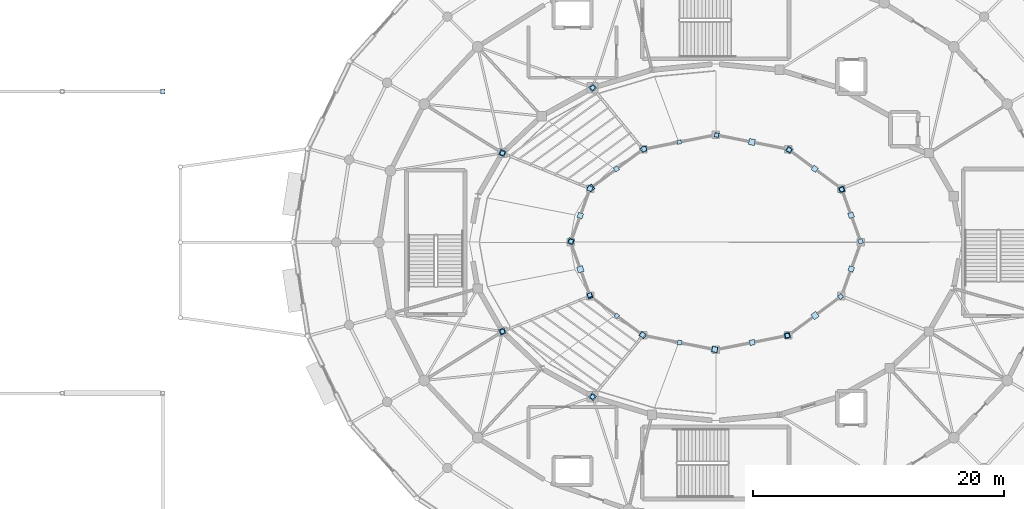
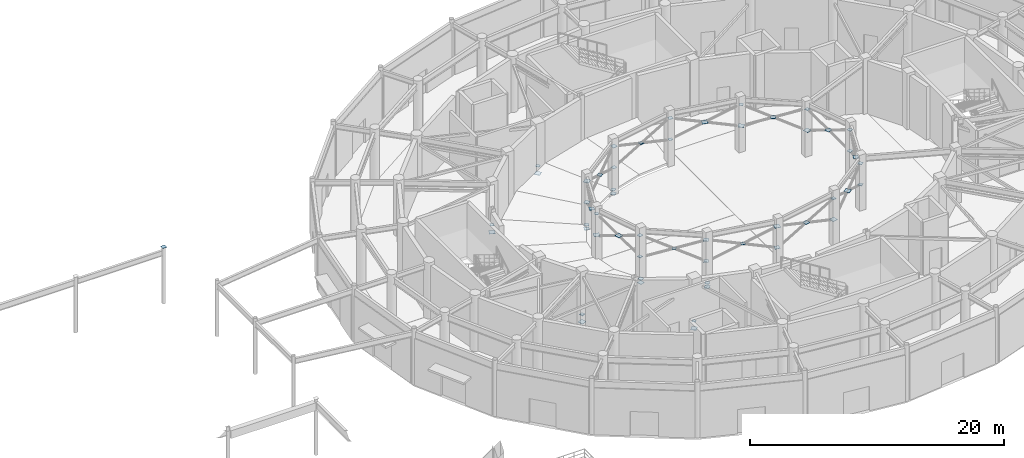
# One storey, part 47 of 93: 53 plates.
"""IFC4 building model written with IfcOpenShell, lengths in metres."""

import ifcopenshell
import ifcopenshell.guid

model = None  # the IFC model being written
_history = None  # IfcOwnerHistory: only IFC2X3 demands one
_inside = {}  # id of a spatial element -> (the spatial element, [elements in it])
_under = {}  # id of a project, library or spatial element -> (it, [spatial elements below it])
_declared = {}  # id of a project -> (the project, [libraries it declares])
_typed = {}  # id of a type object -> (the type object, [elements of that type])
_made_of = {}  # id of a material, layer set ... -> (it, [elements and type objects made of it])


def new_model(schema):
    """Start an empty IFC model of exactly this schema.

    Asked for "IFC4X3", IfcOpenShell would pick the latest addendum, in which some entities
    have other attributes; the version numbers below select the first issue.
    IFC2X3 requires an IfcOwnerHistory on every rooted entity: one is made here for all.
    """
    global model, _history
    if schema == "IFC4X3":
        model = ifcopenshell.file(schema_version=(4, 3, 0, 0))
    else:
        model = ifcopenshell.file(schema=schema)
    _inside.clear()
    _under.clear()
    _declared.clear()
    _typed.clear()
    _made_of.clear()
    _history = None
    if model.schema == "IFC2X3":
        org = make("IfcOrganization", Name="unknown")
        user = make(
            "IfcPersonAndOrganization",
            ThePerson=make("IfcPerson", FamilyName="unknown"),
            TheOrganization=org,
        )
        app = make(
            "IfcApplication",
            ApplicationDeveloper=org,
            Version="unknown",
            ApplicationFullName="unknown",
            ApplicationIdentifier="unknown",
        )
        _history = make(
            "IfcOwnerHistory",
            OwningUser=user,
            OwningApplication=app,
            ChangeAction="ADDED",
            CreationDate=0,
        )
    return model


def make(cls, **values):
    """One entity of the class cls with the attributes given. An attribute that is None is left unset."""
    return model.create_entity(
        cls, **{name: value for name, value in values.items() if value is not None}
    )


def rooted(cls, **values):
    """An entity with a GlobalId (a new one), such as an element, a storey or a relation."""
    return make(cls, GlobalId=ifcopenshell.guid.new(), OwnerHistory=_history, **values)


def si_unit(unit_type, name, prefix=None):
    """IfcSIUnit, for example si_unit("LENGTHUNIT", "METRE", prefix="MILLI")."""
    return make("IfcSIUnit", UnitType=unit_type, Prefix=prefix, Name=name)


def assignment(units):
    """IfcUnitAssignment: the units of a project."""
    return None if units is None else make("IfcUnitAssignment", Units=units)


def point(xyz):
    """IfcCartesianPoint."""
    return None if xyz is None else make("IfcCartesianPoint", Coordinates=xyz)


def direction(xyz):
    """IfcDirection."""
    return None if xyz is None else make("IfcDirection", DirectionRatios=xyz)


def frame(location, z_axis=None, x_axis=None):
    """IfcAxis2Placement3D, a coordinate frame: its origin and axes. An axis left out is left unset."""
    return make(
        "IfcAxis2Placement3D",
        Location=point(location),
        Axis=direction(z_axis),
        RefDirection=direction(x_axis),
    )


def frame_2d(location, x_axis=None):
    """IfcAxis2Placement2D, a coordinate frame in the plane: its origin and x axis."""
    return make(
        "IfcAxis2Placement2D", Location=point(location), RefDirection=direction(x_axis)
    )


def origin():
    """The frame at (0, 0, 0) with its axes left unset."""
    return frame((0.0, 0.0, 0.0))


def origin_2d():
    """The frame at (0, 0) in the plane with its x axis left unset."""
    return frame_2d((0.0, 0.0))


def place(relative_to, where):
    """IfcLocalPlacement: puts the frame where relative to a parent placement (None: the world)."""
    return make(
        "IfcLocalPlacement", PlacementRelTo=relative_to, RelativePlacement=where
    )


def context(
    kind, dimensions, precision=None, world=None, true_north=None, identifier=None
):
    """IfcGeometricRepresentationContext, for example the 3D "Model" context."""
    return make(
        "IfcGeometricRepresentationContext",
        ContextIdentifier=identifier,
        ContextType=kind,
        CoordinateSpaceDimension=dimensions,
        Precision=precision,
        WorldCoordinateSystem=world,
        TrueNorth=true_north,
    )


def subcontext(parent, identifier, kind, view, scale=None):
    """IfcGeometricRepresentationSubContext, for example "Body" below "Model"."""
    return make(
        "IfcGeometricRepresentationSubContext",
        ContextIdentifier=identifier,
        ContextType=kind,
        ParentContext=parent,
        TargetScale=scale,
        TargetView=view,
    )


def project(units=None, contexts=None):
    """IfcProject with its units and contexts."""
    return rooted(
        "IfcProject",
        Name="project",
        RepresentationContexts=contexts,
        UnitsInContext=assignment(units),
    )


def spatial(cls, under=None, at=None, **own):
    """A site, building, storey or space (cls), placed at a placement, below another one or the project."""
    s = rooted(cls, ObjectPlacement=at, **own)
    if under is not None:
        _under.setdefault(under.id(), (under, []))[1].append(s)
    return s


def profile(cls, at=None, kind="AREA", **sizes):
    """A parametric profile (cls). Its sizes go by their IFC names, for example OverallWidth=200.0."""
    return make(cls, ProfileType=kind, Position=at, **sizes)


def rectangle(**sizes):
    """IfcRectangleProfileDef."""
    return profile("IfcRectangleProfileDef", **sizes)


def extrude(swept, where, along, depth):
    """IfcExtrudedAreaSolid: the profile swept, set in the frame where, extruded along a direction by depth."""
    return make(
        "IfcExtrudedAreaSolid",
        SweptArea=swept,
        Position=where,
        ExtrudedDirection=direction(along),
        Depth=depth,
    )


def shape(context_of_items, identifier, shape_type, items):
    """IfcShapeRepresentation: the items that make up one representation, for example the "Body"."""
    return make(
        "IfcShapeRepresentation",
        ContextOfItems=context_of_items,
        RepresentationIdentifier=identifier,
        RepresentationType=shape_type,
        Items=items,
    )


def material(Name=None, Category=None):
    """IfcMaterial."""
    return make("IfcMaterial", Name=Name, Category=Category)


def layer(
    of_material, thickness, ventilated=None, Name=None, Category=None, Priority=None
):
    """IfcMaterialLayer: one layer of a wall or slab, of a material (None: an air gap)."""
    return make(
        "IfcMaterialLayer",
        Material=of_material,
        LayerThickness=thickness,
        IsVentilated=ventilated,
        Name=Name,
        Category=Category,
        Priority=Priority,
    )


def layer_set(layers, Name=None):
    """IfcMaterialLayerSet."""
    return make("IfcMaterialLayerSet", MaterialLayers=layers, LayerSetName=Name)


def made_of(thing, what):
    """Note that an element or type object is made of a material, layer set ...; save() writes the relation."""
    if what is not None:
        _made_of.setdefault(what.id(), (what, []))[1].append(thing)
    return thing


def type_object(cls, material=None, **own):
    """A type object (cls), such as IfcWallType, which elements share."""
    return made_of(rooted(cls, **own), material)


def element(
    cls,
    number,
    at=None,
    inside=None,
    cuts=None,
    type_object=None,
    material=None,
    context=None,
    identifier="Body",
    shape_type=None,
    held_by="IfcProductDefinitionShape",
    body=None,
    shapes=None,
    **own,
):
    """One element of the class cls, such as IfcWall. Its Tag is "e" and its number.

    at: its placement. inside: the storey or other place that contains it. cuts: it is an
    opening in that element (IfcRelVoidsElement). A single representation is given by context,
    identifier, shape_type and body (its items); several are given by shapes. held_by: the class
    of the entity that holds the representations. save() writes the other relations.
    """
    e = rooted(cls, Tag="e%d" % number, ObjectPlacement=at, **own)
    if body is not None:
        shapes = [shape(context, identifier, shape_type, body)]
    if shapes is not None:
        e.Representation = make(held_by, Representations=shapes)
    if inside is not None:
        _inside.setdefault(inside.id(), (inside, []))[1].append(e)
    if cuts is not None:
        rooted(
            "IfcRelVoidsElement", RelatingBuildingElement=cuts, RelatedOpeningElement=e
        )
    if type_object is not None:
        _typed.setdefault(type_object.id(), (type_object, []))[1].append(e)
    return made_of(e, material)


def aggregate(whole, parts):
    """IfcRelAggregates: a whole, such as a stair, and the parts it consists of."""
    return rooted("IfcRelAggregates", RelatingObject=whole, RelatedObjects=parts)


def save(model, path):
    """Write the relations noted so far, then the file.

    IfcRelAggregates (storeys below a building ...), IfcRelContainedInSpatialStructure (elements
    in a storey), IfcRelDefinesByType, IfcRelAssociatesMaterial and IfcRelDeclares: one each for
    every whole, place, type object, material and project.
    """
    for whole, parts in _under.values():
        aggregate(whole, parts)
    for where, things in _inside.values():
        rooted(
            "IfcRelContainedInSpatialStructure",
            RelatedElements=things,
            RelatingStructure=where,
        )
    for kind, things in _typed.values():
        rooted("IfcRelDefinesByType", RelatedObjects=things, RelatingType=kind)
    for what, things in _made_of.values():
        rooted("IfcRelAssociatesMaterial", RelatedObjects=things, RelatingMaterial=what)
    for by, libraries in _declared.values():
        rooted("IfcRelDeclares", RelatingContext=by, RelatedDefinitions=libraries)
    model.write(path)


model = new_model("IFC4")

# Units and contexts
model_context = context("Model", 3, precision=1e-05, world=origin(), true_north=direction((0.0, 1.0)))
body_context = subcontext(model_context, "Body", "Model", "MODEL_VIEW")
ifc_project = project(units=[si_unit("LENGTHUNIT", "METRE"), si_unit("AREAUNIT", "SQUARE_METRE"), si_unit("VOLUMEUNIT", "CUBIC_METRE"), si_unit("PLANEANGLEUNIT", "RADIAN"), si_unit("MASSUNIT", "GRAM", prefix="KILO")], contexts=[model_context])

# Site, building, storey
site_placement = place(None, origin())
site = spatial("IfcSite", under=ifc_project, at=site_placement, CompositionType="ELEMENT")
building_placement = place(site_placement, origin())
building = spatial("IfcBuilding", under=site, at=building_placement, Name="Cinderbank Siding Concert Hall", CompositionType="ELEMENT")
storey_placement = place(building_placement, origin())
storey = spatial("IfcBuildingStorey", under=building, at=storey_placement, Name="L01", CompositionType="ELEMENT", Elevation=0.0)

# Plates
ifc_material = material(Name="Structural steel welded plate section AS/NZS 3679.2 / AS/NZS 3678 Grade 350 (340 MPa)", Category="steel")
ifc_layer_1 = layer(ifc_material, 0.02490234375)
ifc_layer_set_1 = layer_set([ifc_layer_1], Name="Structural steel welded plate section AS/NZS 3679.2 / AS/NZS 3678 Grade 350 (340 MPa)")
plate_type_1 = type_object("IfcPlateType", Name="GP-01 Steel Gusset Cap Plate 480x480x25", PredefinedType="SHEET", material=ifc_layer_set_1)
for number, where, z_axis, x_axis, name in (
    (1, (112.199951171875, 56.297607421875, 0.28759765625), (0.0, 0.0, 1.0), (0.635269828282, -0.77229025973, 0.0), "L01 Steel Node Gusset Plate GP-01 #996"),
    (2, (105.02587890625, 51.10009765625, 0.28759765625), (0.0, 0.0, 1.0), (0.926791059146, -0.375577332499, 0.0), "L01 Steel Node Gusset Plate GP-01 #1000"),
    (3, (105.02587890625, 36.89990234375, 0.28759765625), (0.0, 0.0, 1.0), (0.926791059146, 0.375577332499, 0.0), "L01 Steel Node Gusset Plate GP-01 #1004"),
    (4, (112.199951171875, 31.702392578125, 0.28759765625), (0.0, 0.0, 1.0), (0.635269828282, 0.77229025973, 0.0), "L01 Steel Node Gusset Plate GP-01 #1008"),
    (5, (132.02978515625, 48.19970703125, 2.387451171875), (0.0, 0.0, 1.0), (0.340379550213, -0.94028812701, 0.0), "L01 Steel Node Gusset Plate GP-01 #1080"),
    (6, (127.83935546875, 51.35693359375, 2.387451171875), (0.0, 0.0, 1.0), (0.803753032213, -0.59496307718, 0.0), "L01 Steel Node Gusset Plate GP-01 #1084"),
    (7, (124.87353515625, 51.97998046875, 3.402587890625), (0.0, 0.0, 1.0), (0.980887295008, -0.194576757325, 0.0), "L01 Steel Node Gusset Plate GP-01 #1088"),
    (8, (112.061767578125, 48.322509765625, 4.427490234375), (0.0, 0.0, 1.0), (-0.803753032213, -0.59496307718, 0.0), "L01 Steel Node Gusset Plate GP-01 #1092"),
    (9, (110.477294921875, 44.0751953125, 2.387451171875), (0.0, 0.0, 1.0), (0.340379550213, 0.94028812701, 0.0), "L01 Steel Node Gusset Plate GP-01 #1096"),
    (10, (111.228271484375, 41.849609375, 3.4013671875), (0.0, 0.0, 1.0), (-0.340379550213, 0.94028812701, 0.0), "L01 Steel Node Gusset Plate GP-01 #1100"),
    (11, (121.92138671875, 35.465576171875, 4.427490234375), (0.0, 0.0, 1.0), (0.980887295008, -0.194576757325, 0.0), "L01 Steel Node Gusset Plate GP-01 #1104"),
    (12, (127.696533203125, 36.579833984375, 2.387451171875), (0.0, 0.0, 1.0), (-0.980887295008, -0.194576757325, 0.0), "L01 Steel Node Gusset Plate GP-01 #1108"),
    (13, (129.89990234375, 38.16845703125, 3.40185546875), (0.0, 0.0, 1.0), (-0.803753032213, -0.59496307718, 0.0), "L01 Steel Node Gusset Plate GP-01 #1112"),
):
    element("IfcPlate", number, at=place(storey_placement, frame(where, z_axis=z_axis, x_axis=x_axis)), inside=storey, type_object=plate_type_1, Name=name, PredefinedType="SHEET", context=body_context, shape_type="SweptSolid", body=[
        extrude(rectangle(XDim=0.47998046875, YDim=0.47998046875, at=origin_2d()), origin(), (0.0, 0.0, 1.0), 0.02490234375),
    ])
ifc_layer_2 = layer(ifc_material, 0.02197265625)
ifc_layer_set_2 = layer_set([ifc_layer_2], Name="Structural steel welded plate section AS/NZS 3679.2 / AS/NZS 3678 Grade 350 (340 MPa)")
plate_type_2 = type_object("IfcPlateType", Name="GP-02 Steel Gusset Cap Plate 420x420x22", PredefinedType="SHEET", material=ifc_layer_set_2)
for number, where, z_axis, x_axis, name in (
    (14, (116.22509765625, 51.404541015625, -0.091064453125), (0.0, 0.0, 1.0), (0.635269828282, -0.77229025973, 0.0), "L01 Steel Node Gusset Plate GP-02 #997"),
    (15, (111.997314453125, 48.27490234375, -0.091064453125), (0.0, 0.0, 1.0), (0.926791059146, -0.375577332499, 0.0), "L01 Steel Node Gusset Plate GP-02 #1001"),
    (16, (111.997314453125, 39.72509765625, -0.091064453125), (0.0, 0.0, 1.0), (0.926791059146, 0.375577332499, 0.0), "L01 Steel Node Gusset Plate GP-02 #1005"),
    (17, (116.22509765625, 36.595458984375, -0.091064453125), (0.0, 0.0, 1.0), (0.635269828282, 0.77229025973, 0.0), "L01 Steel Node Gusset Plate GP-02 #1009"),
    (18, (132.771728515625, 46.150390625, 3.40283203125), (0.0, 0.0, 1.0), (0.340379550213, -0.94028812701, 0.0), "L01 Steel Node Gusset Plate GP-02 #1081"),
    (19, (129.877685546875, 49.847900390625, 3.4033203125), (0.0, 0.0, 1.0), (0.803753032213, -0.59496307718, 0.0), "L01 Steel Node Gusset Plate GP-02 #1085"),
    (20, (116.303466796875, 51.420166015625, 4.428955078125), (0.0, 0.0, 1.0), (-0.980887295008, -0.194576757325, 0.0), "L01 Steel Node Gusset Plate GP-02 #1089"),
    (21, (112.061767578125, 48.322509765625, 2.388916015625), (0.0, 0.0, 1.0), (0.803753032213, 0.59496307718, 0.0), "L01 Steel Node Gusset Plate GP-02 #1093"),
    (22, (111.218994140625, 46.124755859375, 3.40283203125), (0.0, 0.0, 1.0), (0.340379550213, 0.94028812701, 0.0), "L01 Steel Node Gusset Plate GP-02 #1097"),
    (23, (116.16064453125, 36.64306640625, 4.428955078125), (0.0, 0.0, 1.0), (0.803753032213, -0.59496307718, 0.0), "L01 Steel Node Gusset Plate GP-02 #1101"),
    (24, (121.92138671875, 35.465576171875, 2.388916015625), (0.0, 0.0, 1.0), (-0.980887295008, 0.194576757325, 0.0), "L01 Steel Node Gusset Plate GP-02 #1105"),
    (25, (124.9013671875, 36.025390625, 3.404052734375), (0.0, 0.0, 1.0), (-0.980887295008, -0.194576757325, 0.0), "L01 Steel Node Gusset Plate GP-02 #1109"),
    (26, (132.781005859375, 41.875244140625, 3.40283203125), (0.0, 0.0, 1.0), (-0.340379550213, -0.94028812701, 0.0), "L01 Steel Node Gusset Plate GP-02 #1113"),
):
    element("IfcPlate", number, at=place(storey_placement, frame(where, z_axis=z_axis, x_axis=x_axis)), inside=storey, type_object=plate_type_2, Name=name, PredefinedType="SHEET", context=body_context, shape_type="SweptSolid", body=[
        extrude(rectangle(XDim=0.419921875, YDim=0.419921875, at=origin_2d()), origin(), (0.0, 0.0, 1.0), 0.02197265625),
    ])
ifc_layer_3 = layer(ifc_material, 0.02001953125)
ifc_layer_set_3 = layer_set([ifc_layer_3], Name="Structural steel welded plate section AS/NZS 3679.2 / AS/NZS 3678 Grade 350 (340 MPa)")
plate_type_3 = type_object("IfcPlateType", Name="GP-03 Steel Gusset Cap Plate 360x360x20", PredefinedType="SHEET", material=ifc_layer_set_3)
for number, where, z_axis, x_axis, name in (
    (27, (78.0, 56.0, 5.3798828125), (0.0, 0.0, 1.0), (1.0, 0.0, 0.0), "L01 Column End Cap Plate GP-03 COL-PAD-06-L01"),
    (28, (116.22509765625, 51.404541015625, 0.2900390625), (0.0, 0.0, 1.0), (-0.635269828282, 0.77229025973, 0.0), "L01 Steel Node Gusset Plate GP-03 #994"),
    (29, (111.997314453125, 48.27490234375, 0.2900390625), (0.0, 0.0, 1.0), (-0.926791059146, 0.375577332499, 0.0), "L01 Steel Node Gusset Plate GP-03 #998"),
    (30, (111.997314453125, 39.72509765625, 0.2900390625), (0.0, 0.0, 1.0), (-0.926791059146, -0.375577332499, 0.0), "L01 Steel Node Gusset Plate GP-03 #1002"),
    (31, (116.22509765625, 36.595458984375, 0.2900390625), (0.0, 0.0, 1.0), (-0.635269828282, -0.77229025973, 0.0), "L01 Steel Node Gusset Plate GP-03 #1006"),
    (32, (133.522705078125, 44.0751953125, 2.389892578125), (0.0, 0.0, 1.0), (-0.340379550213, 0.94028812701, 0.0), "L01 Steel Node Gusset Plate GP-03 #1078"),
    (33, (133.522705078125, 44.0751953125, 4.429931640625), (0.0, 0.0, 1.0), (0.340379550213, -0.94028812701, 0.0), "L01 Steel Node Gusset Plate GP-03 #1082"),
    (34, (122.07861328125, 52.534423828125, 4.429931640625), (0.0, 0.0, 1.0), (-0.980887295008, 0.194576757325, 0.0), "L01 Steel Node Gusset Plate GP-03 #1086"),
    (35, (116.303466796875, 51.420166015625, 2.389892578125), (0.0, 0.0, 1.0), (0.980887295008, 0.194576757325, 0.0), "L01 Steel Node Gusset Plate GP-03 #1090"),
    (36, (114.10009765625, 49.83154296875, 3.404296875), (0.0, 0.0, 1.0), (0.803753032213, 0.59496307718, 0.0), "L01 Steel Node Gusset Plate GP-03 #1094"),
    (37, (111.97021484375, 39.80029296875, 4.429931640625), (0.0, 0.0, 1.0), (0.340379550213, -0.94028812701, 0.0), "L01 Steel Node Gusset Plate GP-03 #1098"),
    (38, (116.16064453125, 36.64306640625, 2.389892578125), (0.0, 0.0, 1.0), (-0.803753032213, 0.59496307718, 0.0), "L01 Steel Node Gusset Plate GP-03 #1102"),
    (39, (119.12646484375, 36.02001953125, 3.405029296875), (0.0, 0.0, 1.0), (-0.980887295008, 0.194576757325, 0.0), "L01 Steel Node Gusset Plate GP-03 #1106"),
    (40, (131.938232421875, 39.677490234375, 4.429931640625), (0.0, 0.0, 1.0), (0.803753032213, 0.59496307718, 0.0), "L01 Steel Node Gusset Plate GP-03 #1110"),
):
    element("IfcPlate", number, at=place(storey_placement, frame(where, z_axis=z_axis, x_axis=x_axis)), inside=storey, type_object=plate_type_3, Name=name, PredefinedType="SHEET", context=body_context, shape_type="SweptSolid", body=[
        extrude(rectangle(XDim=0.360107421875, YDim=0.360107421875, at=origin_2d()), origin(), (0.0, 0.0, 1.0), 0.02001953125),
    ])
ifc_layer_4 = layer(ifc_material, 0.02099609375)
ifc_layer_set_4 = layer_set([ifc_layer_4], Name="Structural steel welded plate section AS/NZS 3679.2 / AS/NZS 3678 Grade 350 (340 MPa)")
plate_type_4 = type_object("IfcPlateType", Name="GP-04 Steel Gusset Cap Plate 320x320x21", PredefinedType="SHEET", material=ifc_layer_set_4)
for number, where, z_axis, x_axis, name in (
    (41, (112.199951171875, 56.297607421875, 1.009521484375), (0.0, 0.0, 1.0), (-0.635269828282, 0.77229025973, 0.0), "L01 Steel Node Gusset Plate GP-04 #995"),
    (42, (105.02587890625, 51.10009765625, 1.009521484375), (0.0, 0.0, 1.0), (-0.926791059146, 0.375577332499, 0.0), "L01 Steel Node Gusset Plate GP-04 #999"),
    (43, (105.02587890625, 36.89990234375, 1.009521484375), (0.0, 0.0, 1.0), (-0.926791059146, -0.375577332499, 0.0), "L01 Steel Node Gusset Plate GP-04 #1003"),
    (44, (112.199951171875, 31.702392578125, 1.009521484375), (0.0, 0.0, 1.0), (-0.635269828282, -0.77229025973, 0.0), "L01 Steel Node Gusset Plate GP-04 #1007"),
    (45, (132.02978515625, 48.19970703125, 4.429443359375), (0.0, 0.0, 1.0), (-0.340379550213, 0.94028812701, 0.0), "L01 Steel Node Gusset Plate GP-04 #1079"),
    (46, (127.83935546875, 51.35693359375, 4.429443359375), (0.0, 0.0, 1.0), (-0.803753032213, 0.59496307718, 0.0), "L01 Steel Node Gusset Plate GP-04 #1083"),
    (47, (122.07861328125, 52.534423828125, 2.389404296875), (0.0, 0.0, 1.0), (0.980887295008, -0.194576757325, 0.0), "L01 Steel Node Gusset Plate GP-04 #1087"),
    (48, (119.0986328125, 51.974609375, 3.404541015625), (0.0, 0.0, 1.0), (0.980887295008, 0.194576757325, 0.0), "L01 Steel Node Gusset Plate GP-04 #1091"),
    (49, (110.477294921875, 44.0751953125, 4.429443359375), (0.0, 0.0, 1.0), (-0.340379550213, -0.94028812701, 0.0), "L01 Steel Node Gusset Plate GP-04 #1095"),
    (50, (111.97021484375, 39.80029296875, 2.389404296875), (0.0, 0.0, 1.0), (-0.340379550213, 0.94028812701, 0.0), "L01 Steel Node Gusset Plate GP-04 #1099"),
    (51, (114.122314453125, 38.152099609375, 3.40380859375), (0.0, 0.0, 1.0), (-0.803753032213, 0.59496307718, 0.0), "L01 Steel Node Gusset Plate GP-04 #1103"),
    (52, (127.696533203125, 36.579833984375, 4.429443359375), (0.0, 0.0, 1.0), (0.980887295008, 0.194576757325, 0.0), "L01 Steel Node Gusset Plate GP-04 #1107"),
    (53, (131.938232421875, 39.677490234375, 2.389404296875), (0.0, 0.0, 1.0), (-0.803753032213, -0.59496307718, 0.0), "L01 Steel Node Gusset Plate GP-04 #1111"),
):
    element("IfcPlate", number, at=place(storey_placement, frame(where, z_axis=z_axis, x_axis=x_axis)), inside=storey, type_object=plate_type_4, Name=name, PredefinedType="SHEET", context=body_context, shape_type="SweptSolid", body=[
        extrude(rectangle(XDim=0.320068359375, YDim=0.320068359375, at=origin_2d()), origin(), (0.0, 0.0, 1.0), 0.02099609375),
    ])

save(model, "model.ifc")
